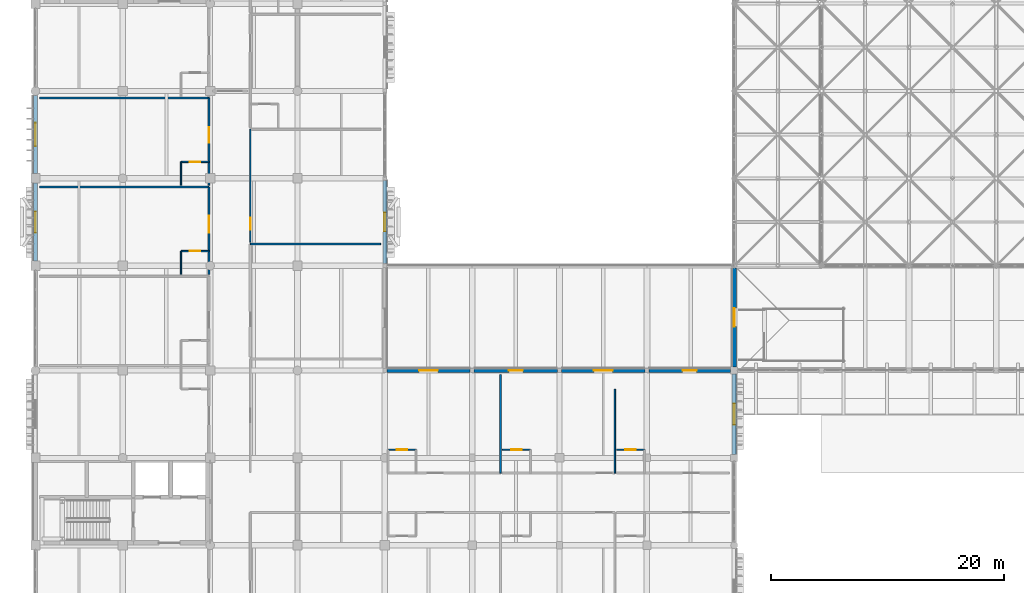
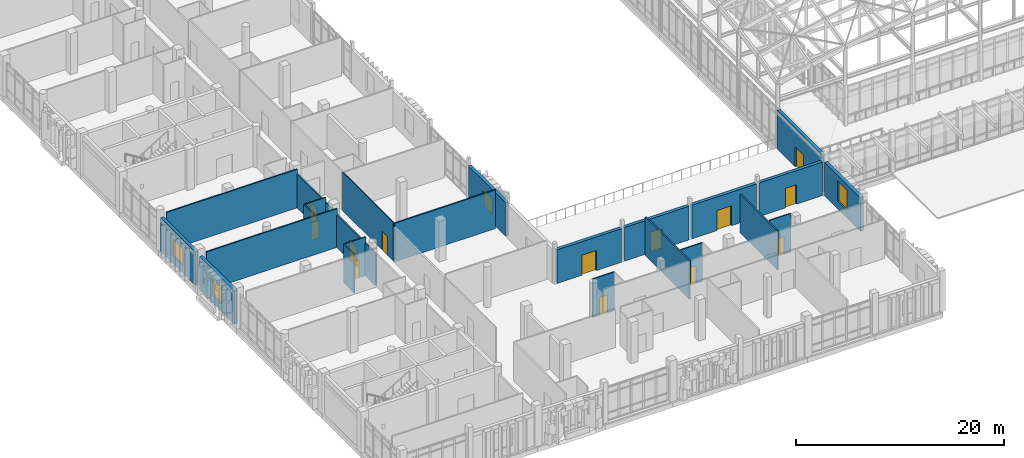
# One storey, part 100 of 131: 24 walls, 13 doors, 4 windows, 17 openings.
"""IFC4 building model written with IfcOpenShell, lengths in metres."""

from ifc_helpers import new_model, si_unit, direction, frame, frame_2d, origin, place, context, subcontext, project, spatial, rectangle, extrude, material, layer, layer_set, type_object, element, fill, save


model = new_model("IFC4")

# Units and contexts
model_context = context("Model", 3, precision=1e-05, world=origin(), true_north=direction((0.0, 1.0)))
body_context = subcontext(model_context, "Body", "Model", "MODEL_VIEW")
ifc_project = project(units=[si_unit("LENGTHUNIT", "METRE"), si_unit("AREAUNIT", "SQUARE_METRE"), si_unit("VOLUMEUNIT", "CUBIC_METRE"), si_unit("PLANEANGLEUNIT", "RADIAN"), si_unit("MASSUNIT", "GRAM", prefix="KILO")], contexts=[model_context])

# Site, building, storey
site_placement = place(None, origin())
site = spatial("IfcSite", under=ifc_project, at=site_placement, CompositionType="ELEMENT")
building_placement = place(site_placement, origin())
building = spatial("IfcBuilding", under=site, at=building_placement, Name="Dalvernix Boulevard General Hospital", CompositionType="ELEMENT")
storey_placement = place(building_placement, frame((0.0, 0.0, 9.300048828125)))
storey = spatial("IfcBuildingStorey", under=building, at=storey_placement, Name="L02", CompositionType="ELEMENT", Elevation=9.300048828125)

# Wall, opening, window
ifc_material_1 = material(Name="Pressed Catalan clay brick and insulated concrete cavity wall C35/45", Category="masonry")
ifc_layer_1 = layer(ifc_material_1, 0.35009765625)
ifc_layer_set_1 = layer_set([ifc_layer_1], Name="Pressed Catalan clay brick and insulated concrete cavity wall C35/45 (WAL-EW-01)")
wall_type_1 = type_object("IfcWallType", Name="WAL-EW-01", PredefinedType="STANDARD", material=ifc_layer_set_1)
wall_1_placement = place(storey_placement, frame((0.0, 31.909912109375, 0.0), z_axis=(0.0, 0.0, 1.0), x_axis=(0.0, 1.0, 0.0)))
wall_1 = element("IfcWall", 1, at=wall_1_placement, inside=storey, type_object=wall_type_1, Name="L02 Catalan brick external wall W 0-4", PredefinedType="STANDARD", context=body_context, shape_type="SweptSolid", body=[
    extrude(rectangle(XDim=6.68017578125, YDim=0.35009765625, at=frame_2d((3.340087890625, 0.0))), origin(), (0.0, 0.0, 1.0), 3.949951171875),
])
opening_1_placement = place(wall_1_placement, frame((2.43994140625, 0.0, 0.89990234375)))
opening_1 = element("IfcOpeningElement", 2, at=opening_1_placement, cuts=wall_1, Name="Opening WN-11", PredefinedType="OPENING", context=body_context, shape_type="SweptSolid", body=[
    extrude(rectangle(XDim=1.800048828125, YDim=1.949951171875, at=frame_2d((0.89990234375, 0.97509765625))), frame((0.0, 0.18505859375, 0.0), z_axis=(0.0, -1.0, 0.0), x_axis=(1.0, 0.0, 0.0)), (0.0, 0.0, 1.0), 0.3701171875),
])
ifc_material_2 = material(Name="Thermally broken aluminium frame with solar-control double glazing", Category="aluminium")
window_type_1 = type_object("IfcWindowType", Name="WIN-WN-11", PartitioningType="SINGLE_PANEL", PredefinedType="WINDOW", material=ifc_material_2)
window_1_placement = place(opening_1_placement, origin())
window_1 = element("IfcWindow", 3, at=window_1_placement, inside=storey, type_object=window_type_1, Name="L02 clinical window WN-11 W 0-4", OverallHeight=1.949951171875, OverallWidth=1.800048828125, PartitioningType="SINGLE_PANEL", PredefinedType="WINDOW", context=body_context, shape_type="SweptSolid", body=[
    extrude(rectangle(XDim=1.800048828125, YDim=1.949951171875, at=frame_2d((0.89990234375, 0.97509765625))), frame((0.0, 0.030029296875, 0.0), z_axis=(0.0, -1.0, 0.0), x_axis=(1.0, 0.0, 0.0)), (0.0, 0.0, 1.0), 0.06005859375),
])
fill(opening_1, window_1)

wall_2_placement = place(storey_placement, frame((0.0, 39.409912109375, 0.0), z_axis=(0.0, 0.0, 1.0), x_axis=(0.0, 1.0, 0.0)))
wall_2 = element("IfcWall", 4, at=wall_2_placement, inside=storey, type_object=wall_type_1, Name="L02 Catalan brick external wall W 0-5", PredefinedType="STANDARD", context=body_context, shape_type="SweptSolid", body=[
    extrude(rectangle(XDim=6.705078125, YDim=0.35009765625, at=frame_2d((3.3525390625, 0.0))), origin(), (0.0, 0.0, 1.0), 3.949951171875),
])
opening_2_placement = place(wall_2_placement, frame((2.3525390625, 0.0, 0.89990234375)))
opening_2 = element("IfcOpeningElement", 5, at=opening_2_placement, cuts=wall_2, Name="Opening WN-12", PredefinedType="OPENING", context=body_context, shape_type="SweptSolid", body=[
    extrude(rectangle(XDim=2.0, YDim=1.949951171875, at=frame_2d((1.0, 0.97509765625))), frame((0.0, 0.18505859375, 0.0), z_axis=(0.0, -1.0, 0.0), x_axis=(1.0, 0.0, 0.0)), (0.0, 0.0, 1.0), 0.3701171875),
])
window_type_2 = type_object("IfcWindowType", Name="WIN-WN-12", PartitioningType="SINGLE_PANEL", PredefinedType="WINDOW", material=ifc_material_2)
window_2_placement = place(opening_2_placement, origin())
window_2 = element("IfcWindow", 6, at=window_2_placement, inside=storey, type_object=window_type_2, Name="L02 clinical window WN-12 W 0-5", OverallHeight=1.949951171875, OverallWidth=2.0, PartitioningType="SINGLE_PANEL", PredefinedType="WINDOW", context=body_context, shape_type="SweptSolid", body=[
    extrude(rectangle(XDim=2.0, YDim=1.949951171875, at=frame_2d((1.0, 0.97509765625))), frame((0.0, 0.030029296875, 0.0), z_axis=(0.0, -1.0, 0.0), x_axis=(1.0, 0.0, 0.0)), (0.0, 0.0, 1.0), 0.06005859375),
])
fill(opening_2, window_2)

wall_3_placement = place(storey_placement, frame((30.0, 38.830078125, 0.0), z_axis=(0.0, 0.0, 1.0), x_axis=(0.0, -1.0, 0.0)))
wall_3 = element("IfcWall", 7, at=wall_3_placement, inside=storey, type_object=wall_type_1, Name="L02 Catalan brick external wall E 4-4", PredefinedType="STANDARD", context=body_context, shape_type="SweptSolid", body=[
    extrude(rectangle(XDim=7.16015625, YDim=0.35009765625, at=frame_2d((3.580078125, 0.0))), origin(), (0.0, 0.0, 1.0), 3.949951171875),
])
opening_3_placement = place(wall_3_placement, frame((2.780029296875, 0.0, 0.89990234375)))
opening_3 = element("IfcOpeningElement", 8, at=opening_3_placement, cuts=wall_3, Name="Opening WN-15", PredefinedType="OPENING", context=body_context, shape_type="SweptSolid", body=[
    extrude(rectangle(XDim=1.60009765625, YDim=1.800048828125, at=frame_2d((0.800048828125, 0.89990234375))), frame((0.0, 0.18505859375, 0.0), z_axis=(0.0, -1.0, 0.0), x_axis=(1.0, 0.0, 0.0)), (0.0, 0.0, 1.0), 0.3701171875),
])
window_type_3 = type_object("IfcWindowType", Name="WIN-WN-15", PartitioningType="SINGLE_PANEL", PredefinedType="WINDOW", material=ifc_material_2)
window_3_placement = place(opening_3_placement, origin())
window_3 = element("IfcWindow", 9, at=window_3_placement, inside=storey, type_object=window_type_3, Name="L02 clinical window WN-15 E 4-4", OverallHeight=1.800048828125, OverallWidth=1.60009765625, PartitioningType="SINGLE_PANEL", PredefinedType="WINDOW", context=body_context, shape_type="SweptSolid", body=[
    extrude(rectangle(XDim=1.60009765625, YDim=1.800048828125, at=frame_2d((0.800048828125, 0.89990234375))), frame((0.0, 0.030029296875, 0.0), z_axis=(0.0, -1.0, 0.0), x_axis=(1.0, 0.0, 0.0)), (0.0, 0.0, 1.0), 0.06005859375),
])
fill(opening_3, window_3)

# Wall, opening, door
wall_4_placement = place(storey_placement, frame((30.169921875, 22.5, 0.0), z_axis=(0.0, 0.0, 1.0), x_axis=(1.0, 0.0, 0.0)))
wall_4 = element("IfcWall", 10, at=wall_4_placement, inside=storey, type_object=wall_type_1, Name="L02 Catalan brick external wall N 4-3", PredefinedType="STANDARD", context=body_context, shape_type="SweptSolid", body=[
    extrude(rectangle(XDim=7.16015625, YDim=0.35009765625, at=frame_2d((3.580078125, 0.0))), origin(), (0.0, 0.0, 1.0), 3.949951171875),
])
opening_4_placement = place(wall_4_placement, frame((2.780029296875, 0.0, 0.0)))
opening_4 = element("IfcOpeningElement", 11, at=opening_4_placement, cuts=wall_4, Name="Opening TD-16", PredefinedType="OPENING", context=body_context, shape_type="SweptSolid", body=[
    extrude(rectangle(XDim=1.60009765625, YDim=2.35009765625, at=frame_2d((0.800048828125, 1.175048828125))), frame((0.0, 0.18505859375, 0.0), z_axis=(0.0, -1.0, 0.0), x_axis=(1.0, 0.0, 0.0)), (0.0, 0.0, 1.0), 0.3701171875),
])
ifc_material_3 = material(Name="Powder-coated aluminium and laminated safety glass", Category="aluminium")
door_type_1 = type_object("IfcDoorType", Name="DR-TD-16", OperationType="DOUBLE_DOOR_SINGLE_SWING", PredefinedType="DOOR", material=ifc_material_3)
door_1_placement = place(opening_4_placement, origin())
door_1 = element("IfcDoor", 12, at=door_1_placement, inside=storey, type_object=door_type_1, Name="L02 ward terrace access door N 4-3", OperationType="DOUBLE_DOOR_SINGLE_SWING", OverallHeight=2.35009765625, OverallWidth=1.60009765625, PredefinedType="DOOR", context=body_context, shape_type="SweptSolid", body=[
    extrude(rectangle(XDim=1.60009765625, YDim=2.35009765625, at=frame_2d((0.800048828125, 1.175048828125))), frame((0.0, 0.02490234375, 0.0), z_axis=(0.0, -1.0, 0.0), x_axis=(1.0, 0.0, 0.0)), (0.0, 0.0, 1.0), 0.050048828125),
])
fill(opening_4, door_1)

wall_5_placement = place(storey_placement, frame((37.669921875, 22.5, 0.0), z_axis=(0.0, 0.0, 1.0), x_axis=(1.0, 0.0, 0.0)))
wall_5 = element("IfcWall", 13, at=wall_5_placement, inside=storey, type_object=wall_type_1, Name="L02 Catalan brick external wall N 5-3", PredefinedType="STANDARD", context=body_context, shape_type="SweptSolid", body=[
    extrude(rectangle(XDim=7.16015625, YDim=0.35009765625, at=frame_2d((3.580078125, 0.0))), origin(), (0.0, 0.0, 1.0), 3.949951171875),
])
opening_5_placement = place(wall_5_placement, frame((2.97998046875, 0.0, 0.0)))
opening_5 = element("IfcOpeningElement", 14, at=opening_5_placement, cuts=wall_5, Name="Opening TD-12", PredefinedType="OPENING", context=body_context, shape_type="SweptSolid", body=[
    extrude(rectangle(XDim=1.199951171875, YDim=2.300048828125, at=frame_2d((0.60009765625, 1.14990234375))), frame((0.0, 0.18505859375, 0.0), z_axis=(0.0, -1.0, 0.0), x_axis=(1.0, 0.0, 0.0)), (0.0, 0.0, 1.0), 0.3701171875),
])
door_type_2 = type_object("IfcDoorType", Name="DR-TD-12", OperationType="NOTDEFINED", PredefinedType="DOOR", material=ifc_material_3)
door_2_placement = place(opening_5_placement, origin())
door_2 = element("IfcDoor", 15, at=door_2_placement, inside=storey, type_object=door_type_2, Name="L02 ward terrace access door N 5-3", OperationType="SINGLE_SWING_RIGHT", OverallHeight=2.300048828125, OverallWidth=1.199951171875, PredefinedType="DOOR", context=body_context, shape_type="SweptSolid", body=[
    extrude(rectangle(XDim=1.199951171875, YDim=2.300048828125, at=frame_2d((0.60009765625, 1.14990234375))), frame((0.0, 0.02490234375, 0.0), z_axis=(0.0, -1.0, 0.0), x_axis=(1.0, 0.0, 0.0)), (0.0, 0.0, 1.0), 0.050048828125),
])
fill(opening_5, door_2)

wall_6_placement = place(storey_placement, frame((45.169921875, 22.5, 0.0), z_axis=(0.0, 0.0, 1.0), x_axis=(1.0, 0.0, 0.0)))
wall_6 = element("IfcWall", 16, at=wall_6_placement, inside=storey, type_object=wall_type_1, Name="L02 Catalan brick external wall N 6-3", PredefinedType="STANDARD", context=body_context, shape_type="SweptSolid", body=[
    extrude(rectangle(XDim=7.16015625, YDim=0.35009765625, at=frame_2d((3.580078125, 0.0))), origin(), (0.0, 0.0, 1.0), 3.949951171875),
])
opening_6_placement = place(wall_6_placement, frame((2.780029296875, 0.0, 0.0)))
opening_6 = element("IfcOpeningElement", 17, at=opening_6_placement, cuts=wall_6, Name="Opening TD-16", PredefinedType="OPENING", context=body_context, shape_type="SweptSolid", body=[
    extrude(rectangle(XDim=1.60009765625, YDim=2.35009765625, at=frame_2d((0.800048828125, 1.175048828125))), frame((0.0, 0.18505859375, 0.0), z_axis=(0.0, -1.0, 0.0), x_axis=(1.0, 0.0, 0.0)), (0.0, 0.0, 1.0), 0.3701171875),
])
door_3_placement = place(opening_6_placement, origin())
door_3 = element("IfcDoor", 18, at=door_3_placement, inside=storey, type_object=door_type_1, Name="L02 ward terrace access door N 6-3", OperationType="DOUBLE_DOOR_SINGLE_SWING", OverallHeight=2.35009765625, OverallWidth=1.60009765625, PredefinedType="DOOR", context=body_context, shape_type="SweptSolid", body=[
    extrude(rectangle(XDim=1.60009765625, YDim=2.35009765625, at=frame_2d((0.800048828125, 1.175048828125))), frame((0.0, 0.02490234375, 0.0), z_axis=(0.0, -1.0, 0.0), x_axis=(1.0, 0.0, 0.0)), (0.0, 0.0, 1.0), 0.050048828125),
])
fill(opening_6, door_3)

wall_7_placement = place(storey_placement, frame((52.669921875, 22.5, 0.0), z_axis=(0.0, 0.0, 1.0), x_axis=(1.0, 0.0, 0.0)))
wall_7 = element("IfcWall", 19, at=wall_7_placement, inside=storey, type_object=wall_type_1, Name="L02 Catalan brick external wall N 7-3", PredefinedType="STANDARD", context=body_context, shape_type="SweptSolid", body=[
    extrude(rectangle(XDim=7.02001953125, YDim=0.35009765625, at=frame_2d((3.510009765625, 0.0))), origin(), (0.0, 0.0, 1.0), 3.949951171875),
])
opening_7_placement = place(wall_7_placement, frame((2.909912109375, 0.0, 0.0)))
opening_7 = element("IfcOpeningElement", 20, at=opening_7_placement, cuts=wall_7, Name="Opening TD-12", PredefinedType="OPENING", context=body_context, shape_type="SweptSolid", body=[
    extrude(rectangle(XDim=1.199951171875, YDim=2.300048828125, at=frame_2d((0.60009765625, 1.14990234375))), frame((0.0, 0.18505859375, 0.0), z_axis=(0.0, -1.0, 0.0), x_axis=(1.0, 0.0, 0.0)), (0.0, 0.0, 1.0), 0.3701171875),
])
door_4_placement = place(opening_7_placement, origin())
door_4 = element("IfcDoor", 21, at=door_4_placement, inside=storey, type_object=door_type_2, Name="L02 ward terrace access door N 7-3", OperationType="SINGLE_SWING_RIGHT", OverallHeight=2.300048828125, OverallWidth=1.199951171875, PredefinedType="DOOR", context=body_context, shape_type="SweptSolid", body=[
    extrude(rectangle(XDim=1.199951171875, YDim=2.300048828125, at=frame_2d((0.60009765625, 1.14990234375))), frame((0.0, 0.02490234375, 0.0), z_axis=(0.0, -1.0, 0.0), x_axis=(1.0, 0.0, 0.0)), (0.0, 0.0, 1.0), 0.050048828125),
])
fill(opening_7, door_4)

# Wall, opening, window
wall_8_placement = place(storey_placement, frame((60.0, 22.18994140625, 0.0), z_axis=(0.0, 0.0, 1.0), x_axis=(0.0, -1.0, 0.0)))
wall_8 = element("IfcWall", 22, at=wall_8_placement, inside=storey, type_object=wall_type_1, Name="L02 Catalan brick external wall E 8-2", PredefinedType="STANDARD", context=body_context, shape_type="SweptSolid", body=[
    extrude(rectangle(XDim=6.8798828125, YDim=0.35009765625, at=frame_2d((3.43994140625, 0.0))), origin(), (0.0, 0.0, 1.0), 3.949951171875),
])
opening_8_placement = place(wall_8_placement, frame((2.5400390625, 0.0, 0.89990234375)))
opening_8 = element("IfcOpeningElement", 23, at=opening_8_placement, cuts=wall_8, Name="Opening WN-01", PredefinedType="OPENING", context=body_context, shape_type="SweptSolid", body=[
    extrude(rectangle(XDim=1.800048828125, YDim=2.39990234375, at=frame_2d((0.89990234375, 1.199951171875))), frame((0.0, 0.18505859375, 0.0), z_axis=(0.0, -1.0, 0.0), x_axis=(1.0, 0.0, 0.0)), (0.0, 0.0, 1.0), 0.3701171875),
])
window_type_4 = type_object("IfcWindowType", Name="WIN-WN-01", PartitioningType="SINGLE_PANEL", PredefinedType="WINDOW", material=ifc_material_2)
window_4_placement = place(opening_8_placement, origin())
window_4 = element("IfcWindow", 24, at=window_4_placement, inside=storey, type_object=window_type_4, Name="L02 clinical window WN-01 E 8-2", OverallHeight=2.39990234375, OverallWidth=1.800048828125, PartitioningType="SINGLE_PANEL", PredefinedType="WINDOW", context=body_context, shape_type="SweptSolid", body=[
    extrude(rectangle(XDim=1.800048828125, YDim=2.39990234375, at=frame_2d((0.89990234375, 1.199951171875))), frame((0.0, 0.030029296875, 0.0), z_axis=(0.0, -1.0, 0.0), x_axis=(1.0, 0.0, 0.0)), (0.0, 0.0, 1.0), 0.06005859375),
])
fill(opening_8, window_4)

# Wall, opening, door
wall_9_placement = place(storey_placement, frame((60.0, 22.81005859375, 0.0), z_axis=(0.0, 0.0, 1.0), x_axis=(0.0, 1.0, 0.0)))
wall_9 = element("IfcWall", 25, at=wall_9_placement, inside=storey, type_object=wall_type_1, Name="L02 Catalan brick external wall W 8-3", PredefinedType="STANDARD", context=body_context, shape_type="SweptSolid", body=[
    extrude(rectangle(XDim=8.5, YDim=0.35009765625, at=frame_2d((4.25, 0.0))), origin(), (0.0, 0.0, 1.0), 4.550048828125),
])
opening_9_placement = place(wall_9_placement, frame((3.449951171875, 0.0, 0.0)))
opening_9 = element("IfcOpeningElement", 26, at=opening_9_placement, cuts=wall_9, Name="Opening TD-16", PredefinedType="OPENING", context=body_context, shape_type="SweptSolid", body=[
    extrude(rectangle(XDim=1.60009765625, YDim=2.35009765625, at=frame_2d((0.800048828125, 1.175048828125))), frame((0.0, 0.18505859375, 0.0), z_axis=(0.0, -1.0, 0.0), x_axis=(1.0, 0.0, 0.0)), (0.0, 0.0, 1.0), 0.3701171875),
])
door_5_placement = place(opening_9_placement, origin())
door_5 = element("IfcDoor", 27, at=door_5_placement, inside=storey, type_object=door_type_1, Name="L02 ward terrace access door W 8-3", OperationType="DOUBLE_DOOR_SINGLE_SWING", OverallHeight=2.35009765625, OverallWidth=1.60009765625, PredefinedType="DOOR", context=body_context, shape_type="SweptSolid", body=[
    extrude(rectangle(XDim=1.60009765625, YDim=2.35009765625, at=frame_2d((0.800048828125, 1.175048828125))), frame((0.0, 0.02490234375, 0.0), z_axis=(0.0, -1.0, 0.0), x_axis=(1.0, 0.0, 0.0)), (0.0, 0.0, 1.0), 0.050048828125),
])
fill(opening_9, door_5)

ifc_material_4 = material(Name="Acoustic double-stud gypsum inpatient partition")
ifc_layer_2 = layer(ifc_material_4, 0.14990234375)
ifc_layer_set_2 = layer_set([ifc_layer_2], Name="Acoustic double-stud gypsum inpatient partition (WAL-IW-04)")
wall_type_2 = type_object("IfcWallType", Name="WAL-IW-04", PredefinedType="PARTITIONING", material=ifc_layer_set_2)
wall_10_placement = place(storey_placement, frame((14.89990234375, 30.75, 0.0), z_axis=(0.0, 0.0, 1.0), x_axis=(0.0, 1.0, 0.0)))
wall_10 = element("IfcWall", 28, at=wall_10_placement, inside=storey, type_object=wall_type_2, Name="L02 Four Bed Observation Ward L02-W04 corridor wall", PredefinedType="PARTITIONING", context=body_context, shape_type="SweptSolid", body=[
    extrude(rectangle(XDim=7.5, YDim=0.14990234375, at=frame_2d((3.75, 0.0))), origin(), (0.0, 0.0, 1.0), 3.8349609375),
])
opening_10_placement = place(wall_10_placement, frame((3.580078125, 0.0, 0.0)))
opening_10 = element("IfcOpeningElement", 29, at=opening_10_placement, cuts=wall_10, Name="Opening ID-02", PredefinedType="OPENING", context=body_context, shape_type="SweptSolid", body=[
    extrude(rectangle(XDim=1.449951171875, YDim=2.300048828125, at=frame_2d((0.72509765625, 1.14990234375))), frame((0.0, 0.0849609375, 0.0), z_axis=(0.0, -1.0, 0.0), x_axis=(1.0, 0.0, 0.0)), (0.0, 0.0, 1.0), 0.169921875),
])
ifc_material_5 = material(Name="Hospital laminate acoustic timber and steel frame", Category="steel")
door_type_3 = type_object("IfcDoorType", Name="DR-ID-02", OperationType="NOTDEFINED", PredefinedType="DOOR", material=ifc_material_5)
door_6_placement = place(opening_10_placement, origin())
door_6 = element("IfcDoor", 30, at=door_6_placement, inside=storey, type_object=door_type_3, Name="L02 Four Bed Observation Ward L02-W04 door", OperationType="SINGLE_SWING_LEFT", OverallHeight=2.300048828125, OverallWidth=1.449951171875, PredefinedType="DOOR", context=body_context, shape_type="SweptSolid", body=[
    extrude(rectangle(XDim=1.449951171875, YDim=2.300048828125, at=frame_2d((0.72509765625, 1.14990234375))), frame((0.0, 0.02490234375, 0.0), z_axis=(0.0, -1.0, 0.0), x_axis=(1.0, 0.0, 0.0)), (0.0, 0.0, 1.0), 0.050048828125),
])
fill(opening_10, door_6)

wall_11_placement = place(storey_placement, frame((14.89990234375, 38.409912109375, 0.0), z_axis=(0.0, 0.0, 1.0), x_axis=(0.0, 1.0, 0.0)))
wall_11 = element("IfcWall", 31, at=wall_11_placement, inside=storey, type_object=wall_type_2, Name="L02 Acute Observation Patient Room L02-W05 corridor wall", PredefinedType="PARTITIONING", context=body_context, shape_type="SweptSolid", body=[
    extrude(rectangle(XDim=7.5, YDim=0.14990234375, at=frame_2d((3.75, 0.0))), origin(), (0.0, 0.0, 1.0), 3.98486328125),
])
opening_11_placement = place(wall_11_placement, frame((3.639892578125, 0.0, 0.0)))
opening_11 = element("IfcOpeningElement", 32, at=opening_11_placement, cuts=wall_11, Name="Opening ID-01", PredefinedType="OPENING", context=body_context, shape_type="SweptSolid", body=[
    extrude(rectangle(XDim=1.35009765625, YDim=2.25, at=frame_2d((0.675048828125, 1.125))), frame((0.0, 0.0849609375, 0.0), z_axis=(0.0, -1.0, 0.0), x_axis=(1.0, 0.0, 0.0)), (0.0, 0.0, 1.0), 0.169921875),
])
door_type_4 = type_object("IfcDoorType", Name="DR-ID-01", OperationType="NOTDEFINED", PredefinedType="DOOR", material=ifc_material_5)
door_7_placement = place(opening_11_placement, origin())
door_7 = element("IfcDoor", 33, at=door_7_placement, inside=storey, type_object=door_type_4, Name="L02 Acute Observation Patient Room L02-W05 door", OperationType="SINGLE_SWING_LEFT", OverallHeight=2.25, OverallWidth=1.35009765625, PredefinedType="DOOR", context=body_context, shape_type="SweptSolid", body=[
    extrude(rectangle(XDim=1.35009765625, YDim=2.25, at=frame_2d((0.675048828125, 1.125))), frame((0.0, 0.02490234375, 0.0), z_axis=(0.0, -1.0, 0.0), x_axis=(1.0, 0.0, 0.0)), (0.0, 0.0, 1.0), 0.050048828125),
])
fill(opening_11, door_7)

# Walls
for number, where, z_axis, x_axis, name in (
    (34, (0.35009765625, 38.25, 0.0), (0.0, 0.0, 1.0), (1.0, 0.0, 0.0), "L02 Four Bed Observation Ward L02-W04 partition"),
    (35, (0.35009765625, 45.909912109375, 0.0), (0.0, 0.0, 1.0), (1.0, 0.0, 0.0), "L02 Acute Observation Patient Room L02-W05 partition"),
):
    element("IfcWall", number, at=place(storey_placement, frame(where, z_axis=z_axis, x_axis=x_axis)), inside=storey, type_object=wall_type_2, Name=name, PredefinedType="PARTITIONING", context=body_context, shape_type="SweptSolid", body=[
        extrude(rectangle(XDim=14.5498046875, YDim=0.14990234375, at=frame_2d((7.27490234375, 0.0))), origin(), (0.0, 0.0, 1.0), 4.534912109375),
    ])
wall_12_placement = place(storey_placement, frame((18.449951171875, 33.357421875, 0.0), z_axis=(0.0, 0.0, 1.0), x_axis=(1.0, 0.0, 0.0)))
element("IfcWall", 36, at=wall_12_placement, inside=storey, type_object=wall_type_2, Name="L02 Clinical Treatment and Procedure Room L02 partition", PredefinedType="PARTITIONING", context=body_context, shape_type="SweptSolid", body=[
    extrude(rectangle(XDim=11.199951171875, YDim=0.14990234375, at=frame_2d((5.60009765625, 0.0))), origin(), (0.0, 0.0, 1.0), 4.534912109375),
])
wall_13_placement = place(storey_placement, frame((39.936767578125, 13.699951171875, 0.0), z_axis=(0.0, 0.0, 1.0), x_axis=(0.0, 1.0, 0.0)))
element("IfcWall", 37, at=wall_13_placement, inside=storey, type_object=wall_type_2, Name="L02 Isolation Patient Room L02-N1 partition", PredefinedType="PARTITIONING", context=body_context, shape_type="SweptSolid", body=[
    extrude(rectangle(XDim=8.449951171875, YDim=0.14990234375, at=frame_2d((4.22509765625, 0.0))), origin(), (0.0, 0.0, 1.0), 4.534912109375),
])
wall_14_placement = place(storey_placement, frame((49.75341796875, 13.699951171875, 0.0), z_axis=(0.0, 0.0, 1.0), x_axis=(0.0, 1.0, 0.0)))
element("IfcWall", 38, at=wall_14_placement, inside=storey, type_object=wall_type_2, Name="L02 Isolation Patient Room L02-N2 partition", PredefinedType="PARTITIONING", context=body_context, shape_type="SweptSolid", body=[
    extrude(rectangle(XDim=7.199951171875, YDim=0.14990234375, at=frame_2d((3.60009765625, 0.0))), origin(), (0.0, 0.0, 1.0), 4.534912109375),
])

# Wall, opening, door
ifc_material_6 = material(Name="Moisture-resistant en-suite bathroom partition")
ifc_layer_3 = layer(ifc_material_6, 0.1201171875)
ifc_layer_set_3 = layer_set([ifc_layer_3], Name="Moisture-resistant en-suite bathroom partition (WAL-IW-05)")
wall_type_3 = type_object("IfcWallType", Name="WAL-IW-05", PredefinedType="PARTITIONING", material=ifc_layer_set_3)
wall_15_placement = place(storey_placement, frame((14.89990234375, 32.75, 0.0), z_axis=(0.0, 0.0, 1.0), x_axis=(-1.0, 0.0, 0.0)))
wall_15 = element("IfcWall", 39, at=wall_15_placement, inside=storey, type_object=wall_type_3, Name="L02 en-suite bathroom door wall", PredefinedType="PARTITIONING", context=body_context, shape_type="SweptSolid", body=[
    extrude(rectangle(XDim=2.39990234375, YDim=0.1201171875, at=frame_2d((1.199951171875, 0.0))), origin(), (0.0, 0.0, 1.0), 4.534912109375),
])
opening_12_placement = place(wall_15_placement, frame((0.75, 0.0, 0.0)))
opening_12 = element("IfcOpeningElement", 40, at=opening_12_placement, cuts=wall_15, Name="Opening ID-05", PredefinedType="OPENING", context=body_context, shape_type="SweptSolid", body=[
    extrude(rectangle(XDim=0.89990234375, YDim=2.10009765625, at=frame_2d((0.449951171875, 1.050048828125))), frame((0.0, 0.070068359375, 0.0), z_axis=(0.0, -1.0, 0.0), x_axis=(1.0, 0.0, 0.0)), (0.0, 0.0, 1.0), 0.14013671875),
])
door_type_5 = type_object("IfcDoorType", Name="DR-ID-05", OperationType="NOTDEFINED", PredefinedType="DOOR", material=ifc_material_5)
door_8_placement = place(opening_12_placement, origin())
door_8 = element("IfcDoor", 41, at=door_8_placement, inside=storey, type_object=door_type_5, Name="L02 L02-WRD-W04 en-suite bathroom door", OperationType="SINGLE_SWING_RIGHT", OverallHeight=2.10009765625, OverallWidth=0.89990234375, PredefinedType="DOOR", context=body_context, shape_type="SweptSolid", body=[
    extrude(rectangle(XDim=0.89990234375, YDim=2.10009765625, at=frame_2d((0.449951171875, 1.050048828125))), frame((0.0, 0.02490234375, 0.0), z_axis=(0.0, -1.0, 0.0), x_axis=(1.0, 0.0, 0.0)), (0.0, 0.0, 1.0), 0.050048828125),
])
fill(opening_12, door_8)

# Wall
wall_16_placement = place(storey_placement, frame((12.5, 30.75, 0.0), z_axis=(0.0, 0.0, 1.0), x_axis=(0.0, 1.0, 0.0)))
element("IfcWall", 42, at=wall_16_placement, inside=storey, type_object=wall_type_3, Name="L02 en-suite bathroom side wall", PredefinedType="PARTITIONING", context=body_context, shape_type="SweptSolid", body=[
    extrude(rectangle(XDim=2.0, YDim=0.1201171875, at=frame_2d((1.0, 0.0))), origin(), (0.0, 0.0, 1.0), 4.534912109375),
])

# Wall, opening, door
wall_17_placement = place(storey_placement, frame((14.89990234375, 40.409912109375, 0.0), z_axis=(0.0, 0.0, 1.0), x_axis=(-1.0, 0.0, 0.0)))
wall_17 = element("IfcWall", 43, at=wall_17_placement, inside=storey, type_object=wall_type_3, Name="L02 en-suite bathroom door wall", PredefinedType="PARTITIONING", context=body_context, shape_type="SweptSolid", body=[
    extrude(rectangle(XDim=2.39990234375, YDim=0.1201171875, at=frame_2d((1.199951171875, 0.0))), origin(), (0.0, 0.0, 1.0), 4.534912109375),
])
opening_13_placement = place(wall_17_placement, frame((0.75, 0.0, 0.0)))
opening_13 = element("IfcOpeningElement", 44, at=opening_13_placement, cuts=wall_17, Name="Opening ID-05", PredefinedType="OPENING", context=body_context, shape_type="SweptSolid", body=[
    extrude(rectangle(XDim=0.89990234375, YDim=2.10009765625, at=frame_2d((0.449951171875, 1.050048828125))), frame((0.0, 0.070068359375, 0.0), z_axis=(0.0, -1.0, 0.0), x_axis=(1.0, 0.0, 0.0)), (0.0, 0.0, 1.0), 0.14013671875),
])
door_9_placement = place(opening_13_placement, origin())
door_9 = element("IfcDoor", 45, at=door_9_placement, inside=storey, type_object=door_type_5, Name="L02 L02-WRD-W05 en-suite bathroom door", OperationType="SINGLE_SWING_RIGHT", OverallHeight=2.10009765625, OverallWidth=0.89990234375, PredefinedType="DOOR", context=body_context, shape_type="SweptSolid", body=[
    extrude(rectangle(XDim=0.89990234375, YDim=2.10009765625, at=frame_2d((0.449951171875, 1.050048828125))), frame((0.0, 0.02490234375, 0.0), z_axis=(0.0, -1.0, 0.0), x_axis=(1.0, 0.0, 0.0)), (0.0, 0.0, 1.0), 0.050048828125),
])
fill(opening_13, door_9)

# Wall
wall_18_placement = place(storey_placement, frame((12.5, 38.409912109375, 0.0), z_axis=(0.0, 0.0, 1.0), x_axis=(0.0, 1.0, 0.0)))
element("IfcWall", 46, at=wall_18_placement, inside=storey, type_object=wall_type_3, Name="L02 en-suite bathroom side wall", PredefinedType="PARTITIONING", context=body_context, shape_type="SweptSolid", body=[
    extrude(rectangle(XDim=2.0, YDim=0.1201171875, at=frame_2d((1.0, 0.0))), origin(), (0.0, 0.0, 1.0), 4.534912109375),
])

# Wall, opening, door
wall_19_placement = place(storey_placement, frame((32.679931640625, 15.699951171875, 0.0), z_axis=(0.0, 0.0, 1.0), x_axis=(-1.0, 0.0, 0.0)))
wall_19 = element("IfcWall", 47, at=wall_19_placement, inside=storey, type_object=wall_type_3, Name="L02 en-suite bathroom door wall", PredefinedType="PARTITIONING", context=body_context, shape_type="SweptSolid", body=[
    extrude(rectangle(XDim=2.39990234375, YDim=0.1201171875, at=frame_2d((1.199951171875, 0.0))), origin(), (0.0, 0.0, 1.0), 4.534912109375),
])
opening_14_placement = place(wall_19_placement, frame((0.75, 0.0, 0.0)))
opening_14 = element("IfcOpeningElement", 48, at=opening_14_placement, cuts=wall_19, Name="Opening ID-05", PredefinedType="OPENING", context=body_context, shape_type="SweptSolid", body=[
    extrude(rectangle(XDim=0.89990234375, YDim=2.10009765625, at=frame_2d((0.449951171875, 1.050048828125))), frame((0.0, 0.070068359375, 0.0), z_axis=(0.0, -1.0, 0.0), x_axis=(1.0, 0.0, 0.0)), (0.0, 0.0, 1.0), 0.14013671875),
])
door_10_placement = place(opening_14_placement, origin())
door_10 = element("IfcDoor", 49, at=door_10_placement, inside=storey, type_object=door_type_5, Name="L02 L02-SW-N1 en-suite bathroom door", OperationType="SINGLE_SWING_RIGHT", OverallHeight=2.10009765625, OverallWidth=0.89990234375, PredefinedType="DOOR", context=body_context, shape_type="SweptSolid", body=[
    extrude(rectangle(XDim=0.89990234375, YDim=2.10009765625, at=frame_2d((0.449951171875, 1.050048828125))), frame((0.0, 0.02490234375, 0.0), z_axis=(0.0, -1.0, 0.0), x_axis=(1.0, 0.0, 0.0)), (0.0, 0.0, 1.0), 0.050048828125),
])
fill(opening_14, door_10)

wall_20_placement = place(storey_placement, frame((42.49658203125, 15.699951171875, 0.0), z_axis=(0.0, 0.0, 1.0), x_axis=(-1.0, 0.0, 0.0)))
wall_20 = element("IfcWall", 50, at=wall_20_placement, inside=storey, type_object=wall_type_3, Name="L02 en-suite bathroom door wall", PredefinedType="PARTITIONING", context=body_context, shape_type="SweptSolid", body=[
    extrude(rectangle(XDim=2.39990234375, YDim=0.1201171875, at=frame_2d((1.199951171875, 0.0))), origin(), (0.0, 0.0, 1.0), 4.534912109375),
])
opening_15_placement = place(wall_20_placement, frame((0.75, 0.0, 0.0)))
opening_15 = element("IfcOpeningElement", 51, at=opening_15_placement, cuts=wall_20, Name="Opening ID-05", PredefinedType="OPENING", context=body_context, shape_type="SweptSolid", body=[
    extrude(rectangle(XDim=0.89990234375, YDim=2.10009765625, at=frame_2d((0.449951171875, 1.050048828125))), frame((0.0, 0.070068359375, 0.0), z_axis=(0.0, -1.0, 0.0), x_axis=(1.0, 0.0, 0.0)), (0.0, 0.0, 1.0), 0.14013671875),
])
door_11_placement = place(opening_15_placement, origin())
door_11 = element("IfcDoor", 52, at=door_11_placement, inside=storey, type_object=door_type_5, Name="L02 L02-SW-N2 en-suite bathroom door", OperationType="SINGLE_SWING_RIGHT", OverallHeight=2.10009765625, OverallWidth=0.89990234375, PredefinedType="DOOR", context=body_context, shape_type="SweptSolid", body=[
    extrude(rectangle(XDim=0.89990234375, YDim=2.10009765625, at=frame_2d((0.449951171875, 1.050048828125))), frame((0.0, 0.02490234375, 0.0), z_axis=(0.0, -1.0, 0.0), x_axis=(1.0, 0.0, 0.0)), (0.0, 0.0, 1.0), 0.050048828125),
])
fill(opening_15, door_11)

wall_21_placement = place(storey_placement, frame((52.313232421875, 15.699951171875, 0.0), z_axis=(0.0, 0.0, 1.0), x_axis=(-1.0, 0.0, 0.0)))
wall_21 = element("IfcWall", 53, at=wall_21_placement, inside=storey, type_object=wall_type_3, Name="L02 en-suite bathroom door wall", PredefinedType="PARTITIONING", context=body_context, shape_type="SweptSolid", body=[
    extrude(rectangle(XDim=2.39990234375, YDim=0.1201171875, at=frame_2d((1.199951171875, 0.0))), origin(), (0.0, 0.0, 1.0), 4.534912109375),
])
opening_16_placement = place(wall_21_placement, frame((0.75, 0.0, 0.0)))
opening_16 = element("IfcOpeningElement", 54, at=opening_16_placement, cuts=wall_21, Name="Opening ID-05", PredefinedType="OPENING", context=body_context, shape_type="SweptSolid", body=[
    extrude(rectangle(XDim=0.89990234375, YDim=2.10009765625, at=frame_2d((0.449951171875, 1.050048828125))), frame((0.0, 0.070068359375, 0.0), z_axis=(0.0, -1.0, 0.0), x_axis=(1.0, 0.0, 0.0)), (0.0, 0.0, 1.0), 0.14013671875),
])
door_12_placement = place(opening_16_placement, origin())
door_12 = element("IfcDoor", 55, at=door_12_placement, inside=storey, type_object=door_type_5, Name="L02 L02-SW-N3 en-suite bathroom door", OperationType="SINGLE_SWING_RIGHT", OverallHeight=2.10009765625, OverallWidth=0.89990234375, PredefinedType="DOOR", context=body_context, shape_type="SweptSolid", body=[
    extrude(rectangle(XDim=0.89990234375, YDim=2.10009765625, at=frame_2d((0.449951171875, 1.050048828125))), frame((0.0, 0.02490234375, 0.0), z_axis=(0.0, -1.0, 0.0), x_axis=(1.0, 0.0, 0.0)), (0.0, 0.0, 1.0), 0.050048828125),
])
fill(opening_16, door_12)

ifc_material_7 = material(Name="Fire-resisting clinical sub-partition")
ifc_layer_4 = layer(ifc_material_7, 0.10009765625)
ifc_layer_set_4 = layer_set([ifc_layer_4], Name="Fire-resisting clinical sub-partition (WAL-IW-06)")
wall_type_4 = type_object("IfcWallType", Name="WAL-IW-06", PredefinedType="PARTITIONING", material=ifc_layer_set_4)
wall_22_placement = place(storey_placement, frame((18.449951171875, 43.226318359375, 0.0), z_axis=(0.0, 0.0, 1.0), x_axis=(0.0, -1.0, 0.0)))
wall_22 = element("IfcWall", 56, at=wall_22_placement, inside=storey, type_object=wall_type_4, Name="L02 Patient and Family Day Lounge L02 corridor wall", PredefinedType="PARTITIONING", context=body_context, shape_type="SweptSolid", body=[
    extrude(rectangle(XDim=9.708740234375, YDim=0.10009765625, at=frame_2d((4.8544921875, 0.0))), origin(), (0.0, 0.0, 1.0), 4.534912109375),
])
opening_17_placement = place(wall_22_placement, frame((7.593017578125, 0.0, 0.0)))
opening_17 = element("IfcOpeningElement", 57, at=opening_17_placement, cuts=wall_22, Name="Opening ID-07", PredefinedType="OPENING", context=body_context, shape_type="SweptSolid", body=[
    extrude(rectangle(XDim=1.050048828125, YDim=2.199951171875, at=frame_2d((0.52490234375, 1.10009765625))), frame((0.0, 0.06005859375, 0.0), z_axis=(0.0, -1.0, 0.0), x_axis=(1.0, 0.0, 0.0)), (0.0, 0.0, 1.0), 0.1201171875),
])
door_type_6 = type_object("IfcDoorType", Name="DR-ID-07", OperationType="NOTDEFINED", PredefinedType="DOOR", material=ifc_material_5)
door_13_placement = place(opening_17_placement, origin())
door_13 = element("IfcDoor", 58, at=door_13_placement, inside=storey, type_object=door_type_6, Name="L02 Patient and Family Day Lounge L02 door", OperationType="SINGLE_SWING_LEFT", OverallHeight=2.199951171875, OverallWidth=1.050048828125, PredefinedType="DOOR", context=body_context, shape_type="SweptSolid", body=[
    extrude(rectangle(XDim=1.050048828125, YDim=2.199951171875, at=frame_2d((0.52490234375, 1.10009765625))), frame((0.0, 0.02490234375, 0.0), z_axis=(0.0, -1.0, 0.0), x_axis=(1.0, 0.0, 0.0)), (0.0, 0.0, 1.0), 0.050048828125),
])
fill(opening_17, door_13)

save(model, "model.ifc")
